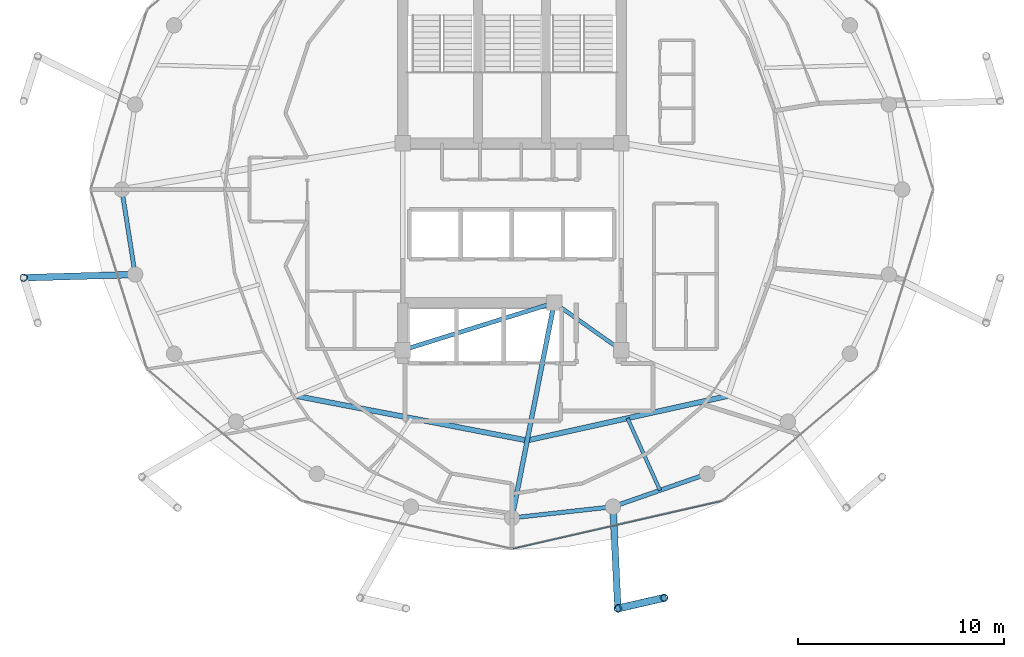
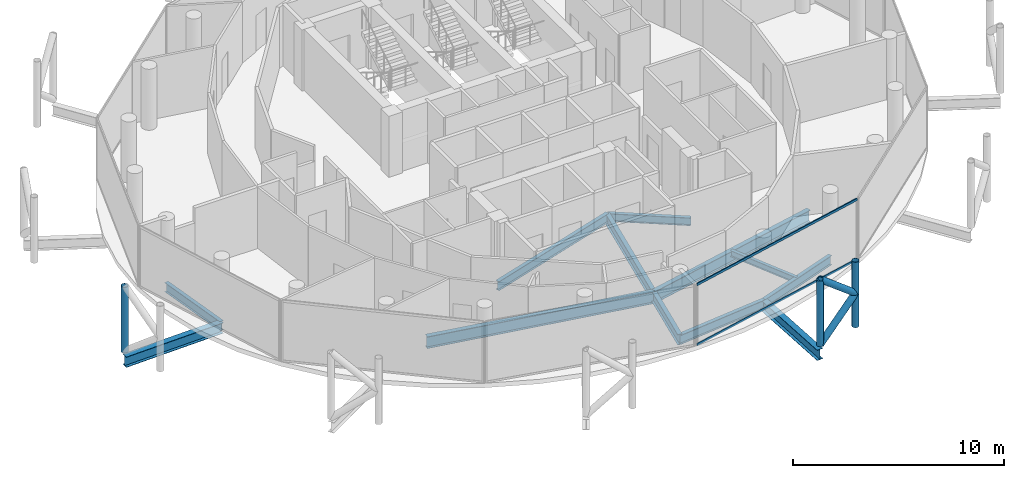
# One storey, part 5 of 24: 11 beams, 7 members, 1 element without a shape of its own.
"""IFC4 building model written with IfcOpenShell, lengths in metres."""

from ifc_helpers import new_model, si_unit, direction, frame, origin, origin_2d, place, context, subcontext, project, spatial, hollow_rectangle, hollow_circle, i_section, extrude, material, layer, layer_set, material_profile, profile_set, type_object, element, aggregate, save


model = new_model("IFC4")

# Units and contexts
model_context = context("Model", 3, precision=1e-05, world=origin(), true_north=direction((0.0, 1.0)))
body_context = subcontext(model_context, "Body", "Model", "MODEL_VIEW")
ifc_project = project(units=[si_unit("LENGTHUNIT", "METRE"), si_unit("AREAUNIT", "SQUARE_METRE"), si_unit("VOLUMEUNIT", "CUBIC_METRE"), si_unit("PLANEANGLEUNIT", "RADIAN"), si_unit("MASSUNIT", "GRAM", prefix="KILO")], contexts=[model_context])

# Site, building, storey
site_placement = place(None, origin())
site = spatial("IfcSite", under=ifc_project, at=site_placement, CompositionType="ELEMENT")
building_placement = place(site_placement, origin())
building = spatial("IfcBuilding", under=site, at=building_placement, Name="Nuhasar Tower", CompositionType="ELEMENT")
storey_placement = place(building_placement, frame((0.0, 0.0, 293.60009765625)))
storey = spatial("IfcBuildingStorey", under=building, at=storey_placement, Name="L73", CompositionType="ELEMENT", Elevation=293.60009765625)

# Beams
ifc_material_1 = material(Name="Steel S355", Category="steel")
ifc_material_profile_1 = material_profile(ifc_material_1, i_section(OverallWidth=0.25390625, OverallDepth=0.68408203125, WebThickness=0.012451171875, FlangeThickness=0.018798828125, at=origin_2d()), Name="W27X94")
ifc_profile_set_1 = profile_set([ifc_material_profile_1], Name="Steel S355")
beam_type_1 = type_object("IfcBeamType", Name="BM-INRING-W27X94", PredefinedType="BEAM", material=ifc_profile_set_1)
beam_1_placement = place(storey_placement, frame((28.51611328125, 16.77392578125, -0.60205078125), z_axis=(0.981944682954, -0.189168283859, 0.0), x_axis=(0.189168283859, 0.981944682954, 0.0)))
element("IfcBeam", 1, at=beam_1_placement, inside=storey, type_object=beam_type_1, Name="L73 Inner Header Beam 01", PredefinedType="BEAM", context=body_context, shape_type="SweptSolid", body=[
    extrude(i_section(OverallWidth=0.25390625, OverallDepth=0.68408203125, WebThickness=0.012451171875, FlangeThickness=0.018798828125, at=origin_2d()), origin(), (0.0, 0.0, 1.0), 11.42822265625),
])
beam_2_placement = place(storey_placement, frame((39.738037109375, 14.612060546875, -0.60205078125), z_axis=(0.97626927806, 0.216560145726, 0.0), x_axis=(-0.216560145726, 0.97626927806, 0.0)))
element("IfcBeam", 2, at=beam_2_placement, inside=storey, type_object=beam_type_1, Name="L73 Inner Header Beam 02", PredefinedType="BEAM", context=body_context, shape_type="SweptSolid", body=[
    extrude(i_section(OverallWidth=0.25390625, OverallDepth=0.68408203125, WebThickness=0.012451171875, FlangeThickness=0.018798828125, at=origin_2d()), origin(), (0.0, 0.0, 1.0), 9.982666015625),
])
ifc_material_profile_2 = material_profile(ifc_material_1, i_section(OverallWidth=0.1708984375, OverallDepth=0.35205078125, WebThickness=0.0068359375, FlangeThickness=0.009765625, at=origin_2d()), Name="W14X30")
ifc_profile_set_2 = profile_set([ifc_material_profile_2], Name="Steel S355")
beam_type_2 = type_object("IfcBeamType", Name="BM-JST-W14X30", PredefinedType="JOIST", material=ifc_profile_set_2)
beam_3_placement = place(storey_placement, frame((44.611083984375, 15.693115234375, -0.43603515625), z_axis=(0.41089033708, -0.911684776057, 0.0), x_axis=(0.911684776057, 0.41089033708, 0.0)))
element("IfcBeam", 3, at=beam_3_placement, inside=storey, type_object=beam_type_2, Name="L73 Secondary Floor Joist 02", PredefinedType="JOIST", context=body_context, shape_type="SweptSolid", body=[
    extrude(i_section(OverallWidth=0.1708984375, OverallDepth=0.35205078125, WebThickness=0.0068359375, FlangeThickness=0.009765625, at=origin_2d()), origin(), (0.0, 0.0, 1.0), 3.842529296875),
])
ifc_material_profile_3 = material_profile(ifc_material_1, i_section(OverallWidth=0.18994140625, OverallDepth=0.45703125, WebThickness=0.009033203125, FlangeThickness=0.014404296875, at=origin_2d()), Name="W18X50")
ifc_profile_set_3 = profile_set([ifc_material_profile_3], Name="Steel S355")
beam_type_3 = type_object("IfcBeamType", Name="BM-RAD-W18X50", PredefinedType="BEAM", material=ifc_profile_set_3)
beam_4_placement = place(storey_placement, frame((41.050048828125, 21.300048828125, -0.489013671875), z_axis=(0.816265428953, -0.577677028708, 0.0), x_axis=(0.577677028708, 0.816265428953, 0.0)))
element("IfcBeam", 4, at=beam_4_placement, inside=storey, type_object=beam_type_3, Name="L73 Core Ring Girder 2", PredefinedType="BEAM", context=body_context, shape_type="SweptSolid", body=[
    extrude(i_section(OverallWidth=0.18994140625, OverallDepth=0.45703125, WebThickness=0.009033203125, FlangeThickness=0.014404296875, at=origin_2d()), origin(), (0.0, 0.0, 1.0), 3.9814453125),
])
ifc_material_profile_4 = material_profile(ifc_material_1, i_section(OverallWidth=0.208984375, OverallDepth=0.528076171875, WebThickness=0.009521484375, FlangeThickness=0.01318359375, at=origin_2d()), Name="W21X55")
ifc_profile_set_4 = profile_set([ifc_material_profile_4], Name="Steel S355")
beam_type_4 = type_object("IfcBeamType", Name="BM-RAD-W21X55", PredefinedType="BEAM", material=ifc_profile_set_4)
beam_5_placement = place(storey_placement, frame((33.699951171875, 19.0, -0.524169921875), z_axis=(0.954363709454, 0.298646798205, 0.0), x_axis=(-0.298646798205, 0.954363709454, 0.0)))
element("IfcBeam", 5, at=beam_5_placement, inside=storey, type_object=beam_type_4, Name="L73 Core Ring Girder 1", PredefinedType="BEAM", context=body_context, shape_type="SweptSolid", body=[
    extrude(i_section(OverallWidth=0.208984375, OverallDepth=0.528076171875, WebThickness=0.009521484375, FlangeThickness=0.01318359375, at=origin_2d()), origin(), (0.0, 0.0, 1.0), 7.70166015625),
])
ifc_material_profile_5 = material_profile(ifc_material_1, i_section(OverallWidth=0.22900390625, OverallDepth=0.612060546875, WebThickness=0.011962890625, FlangeThickness=0.01953125, at=origin_2d()), Name="W24X84")
ifc_profile_set_5 = profile_set([ifc_material_profile_5], Name="Steel S355")
beam_type_5 = type_object("IfcBeamType", Name="BM-RAD-W24X84", PredefinedType="BEAM", material=ifc_profile_set_5)
beam_6_placement = place(storey_placement, frame((41.050048828125, 21.300048828125, -0.566162109375), z_axis=(-0.192508395576, -0.981295326409, 0.0), x_axis=(0.981295326409, -0.192508395576, 0.0)))
element("IfcBeam", 6, at=beam_6_placement, inside=storey, type_object=beam_type_5, Name="L73 Radial Floor Girder 02", PredefinedType="BEAM", context=body_context, shape_type="SweptSolid", body=[
    extrude(i_section(OverallWidth=0.22900390625, OverallDepth=0.612060546875, WebThickness=0.011962890625, FlangeThickness=0.01953125, at=origin_2d()), origin(), (0.0, 0.0, 1.0), 10.649169921875),
])
ifc_material_profile_6 = material_profile(ifc_material_1, i_section(OverallWidth=0.2099609375, OverallDepth=0.537109375, WebThickness=0.010986328125, FlangeThickness=0.017333984375, at=origin_2d()), Name="W21X68")
ifc_profile_set_6 = profile_set([ifc_material_profile_6], Name="Steel S355")
beam_type_6 = type_object("IfcBeamType", Name="BM-RING-W21X68", PredefinedType="SPANDREL", material=ifc_profile_set_6)
beam_7_placement = place(storey_placement, frame((20.050048828125, 26.800048828125, -0.529052734375), z_axis=(0.154612165232, -0.987975241776, 0.0), x_axis=(0.987975241776, 0.154612165232, 0.0)))
element("IfcBeam", 7, at=beam_7_placement, inside=storey, type_object=beam_type_6, Name="L73 Perimeter Ring Spandrel 13", PredefinedType="SPANDREL", context=body_context, shape_type="SweptSolid", body=[
    extrude(i_section(OverallWidth=0.2099609375, OverallDepth=0.537109375, WebThickness=0.010986328125, FlangeThickness=0.017333984375, at=origin_2d()), origin(), (0.0, 0.0, 1.0), 4.17822265625),
])
beam_8_placement = place(storey_placement, frame((39.0, 10.85009765625, -0.529052734375), z_axis=(0.99392889943, 0.110024283128, 0.0), x_axis=(-0.110024283128, 0.99392889943, 0.0)))
element("IfcBeam", 8, at=beam_8_placement, inside=storey, type_object=beam_type_6, Name="L73 Perimeter Ring Spandrel 19", PredefinedType="SPANDREL", context=body_context, shape_type="SweptSolid", body=[
    extrude(i_section(OverallWidth=0.2099609375, OverallDepth=0.537109375, WebThickness=0.010986328125, FlangeThickness=0.017333984375, at=origin_2d()), origin(), (0.0, 0.0, 1.0), 4.93505859375),
])
beam_9_placement = place(storey_placement, frame((43.905029296875, 11.39306640625, -0.529052734375), z_axis=(0.944214043504, 0.329332415729, 0.0), x_axis=(-0.329332415729, 0.944214043504, 0.0)))
element("IfcBeam", 9, at=beam_9_placement, inside=storey, type_object=beam_type_6, Name="L73 Perimeter Ring Spandrel 20", PredefinedType="SPANDREL", context=body_context, shape_type="SweptSolid", body=[
    extrude(i_section(OverallWidth=0.2099609375, OverallDepth=0.537109375, WebThickness=0.010986328125, FlangeThickness=0.017333984375, at=origin_2d()), origin(), (0.0, 0.0, 1.0), 4.840087890625),
])
ifc_material_profile_7 = material_profile(ifc_material_1, i_section(OverallWidth=0.323974609375, OverallDepth=0.611083984375, WebThickness=0.0126953125, FlangeThickness=0.01904296875, at=origin_2d()), Name="W24X104")
ifc_profile_set_7 = profile_set([ifc_material_profile_7], Name="Steel S355")
beam_type_7 = type_object("IfcBeamType", Name="BM-TIE-W24X104", PredefinedType="BEAM", material=ifc_profile_set_7)
beam_10_placement = place(storey_placement, frame((20.696044921875, 22.672119140625, -0.566162109375), z_axis=(-0.999573346236, -0.029208312065, 0.0), x_axis=(0.029208312065, -0.999573346236, 0.0)))
element("IfcBeam", 10, at=beam_10_placement, inside=storey, type_object=beam_type_7, Name="L73 Exoskeleton Node Tie Beam 07", PredefinedType="BEAM", context=body_context, shape_type="SweptSolid", body=[
    extrude(i_section(OverallWidth=0.323974609375, OverallDepth=0.611083984375, WebThickness=0.0126953125, FlangeThickness=0.01904296875, at=origin_2d()), origin(), (0.0, 0.0, 1.0), 5.416259765625),
])
beam_11_placement = place(storey_placement, frame((43.905029296875, 11.39306640625, -0.566162109375), z_axis=(0.048109027225, -0.998842090372, 0.0), x_axis=(0.998842090372, 0.048109027225, 0.0)))
element("IfcBeam", 11, at=beam_11_placement, inside=storey, type_object=beam_type_7, Name="L73 Exoskeleton Node Tie Beam 10", PredefinedType="BEAM", context=body_context, shape_type="SweptSolid", body=[
    extrude(i_section(OverallWidth=0.323974609375, OverallDepth=0.611083984375, WebThickness=0.0126953125, FlangeThickness=0.01904296875, at=origin_2d()), origin(), (0.0, 0.0, 1.0), 4.94775390625),
])

# Curtain wall, members
ifc_material_2 = material(Name="Aluminium 6063-T6", Category="aluminium")
ifc_layer = layer(ifc_material_2, 0.18994140625)
ifc_layer_set = layer_set([ifc_layer], Name="Aluminium 6063-T6")
curtain_wall_type = type_object("IfcCurtainWallType", Name="CW-Z4-PEN", PredefinedType="NOTDEFINED", material=ifc_layer_set)
curtain_wall_placement = place(storey_placement, origin())
curtain_wall = element("IfcCurtainWall", 12, at=curtain_wall_placement, inside=storey, type_object=curtain_wall_type, Name="L73 Unitised Curtain Wall 10", PredefinedType="NOTDEFINED")
ifc_material_profile_8 = material_profile(ifc_material_2, hollow_rectangle(XDim=0.06005859375, YDim=0.135009765625, WallThickness=0.00439453125, at=origin_2d()), Name="CWT-5")
ifc_profile_set_8 = profile_set([ifc_material_profile_8], Name="Aluminium 6063-T6")
member_type_1 = type_object("IfcMemberType", Name="CW-TRN-S5", PredefinedType="USERDEFINED", material=ifc_profile_set_8)
member_1_placement = place(storey_placement, frame((39.05859375, 9.353271484375, 0.02978515625), z_axis=(0.974843752401, 0.222889341163, 0.0), x_axis=(-0.222889341163, 0.974843752401, 0.0)))
member_1 = element("IfcMember", 13, at=member_1_placement, type_object=member_type_1, Name="CW-Z4 transom 1.1", ObjectType="TRANSOM", PredefinedType="USERDEFINED", context=body_context, shape_type="SweptSolid", body=[
    extrude(hollow_rectangle(XDim=0.06005859375, YDim=0.135009765625, WallThickness=0.00439453125, at=origin_2d()), origin(), (0.0, 0.0, 1.0), 10.3740234375),
])
member_2_placement = place(storey_placement, frame((39.05859375, 9.353271484375, 3.510009765625), z_axis=(0.974843752401, 0.222889341163, 0.0), x_axis=(-0.222889341163, 0.974843752401, 0.0)))
member_2 = element("IfcMember", 14, at=member_2_placement, type_object=member_type_1, Name="CW-Z4 transom 1.2", ObjectType="TRANSOM", PredefinedType="USERDEFINED", context=body_context, shape_type="SweptSolid", body=[
    extrude(hollow_rectangle(XDim=0.06005859375, YDim=0.135009765625, WallThickness=0.00439453125, at=origin_2d()), origin(), (0.0, 0.0, 1.0), 10.3740234375),
])
aggregate(curtain_wall, [member_1, member_2])

# Members
ifc_material_3 = material(Name="Steel S460", Category="steel")
ifc_material_profile_9 = material_profile(ifc_material_3, hollow_circle(Radius=0.177734375, WallThickness=0.015869140625, at=origin_2d()), Name="HSS355.6X15.9")
ifc_profile_set_9 = profile_set([ifc_material_profile_9], Name="Steel S460")
member_type_2 = type_object("IfcMemberType", Name="EXO-BRONZE-356", PredefinedType="BRACE", material=ifc_profile_set_9)
for number, where, z_axis, x_axis, name in (
    (15, (15.281982421875, 22.513916015625, 0.0), (0.0, 0.0, 1.0), (1.0, 0.0, 0.0), "L73 Exoskeleton Chord Column EC-07A"),
    (16, (44.14306640625, 6.450927734375, 0.0), (0.0, 0.0, 1.0), (1.0, 0.0, 0.0), "L73 Exoskeleton Chord Column EC-10A"),
    (17, (46.384033203125, 6.967041015625, 0.0), (0.0, 0.0, 1.0), (1.0, 0.0, 0.0), "L73 Exoskeleton Chord Column EC-10B"),
):
    element("IfcMember", number, at=place(storey_placement, frame(where, z_axis=z_axis, x_axis=x_axis)), inside=storey, type_object=member_type_2, Name=name, PredefinedType="BRACE", context=body_context, shape_type="SweptSolid", body=[
        extrude(hollow_circle(Radius=0.177734375, WallThickness=0.015869140625, at=origin_2d()), origin(), (0.0, 0.0, 1.0), 3.7998046875),
    ])
for number, where, z_axis, x_axis, name in (
    (18, (44.14306640625, 6.450927734375, 0.0), (0.751260978137, 0.173021648086, 0.636922642103), (-0.224433035437, 0.97448951385, 0.0), "L73 Bronze Diagrid Brace W1-10"),
    (19, (46.384033203125, 6.967041015625, 1.89990234375), (-0.751260978137, -0.173021648086, 0.636922642103), (0.224433035437, -0.97448951385, 0.0), "L73 Bronze Diagrid Brace W2-10"),
):
    element("IfcMember", number, at=place(storey_placement, frame(where, z_axis=z_axis, x_axis=x_axis)), inside=storey, type_object=member_type_2, Name=name, PredefinedType="BRACE", context=body_context, shape_type="SweptSolid", body=[
        extrude(hollow_circle(Radius=0.177734375, WallThickness=0.015869140625, at=origin_2d()), origin(), (0.0, 0.0, 1.0), 2.98291015625),
    ])

save(model, "model.ifc")
